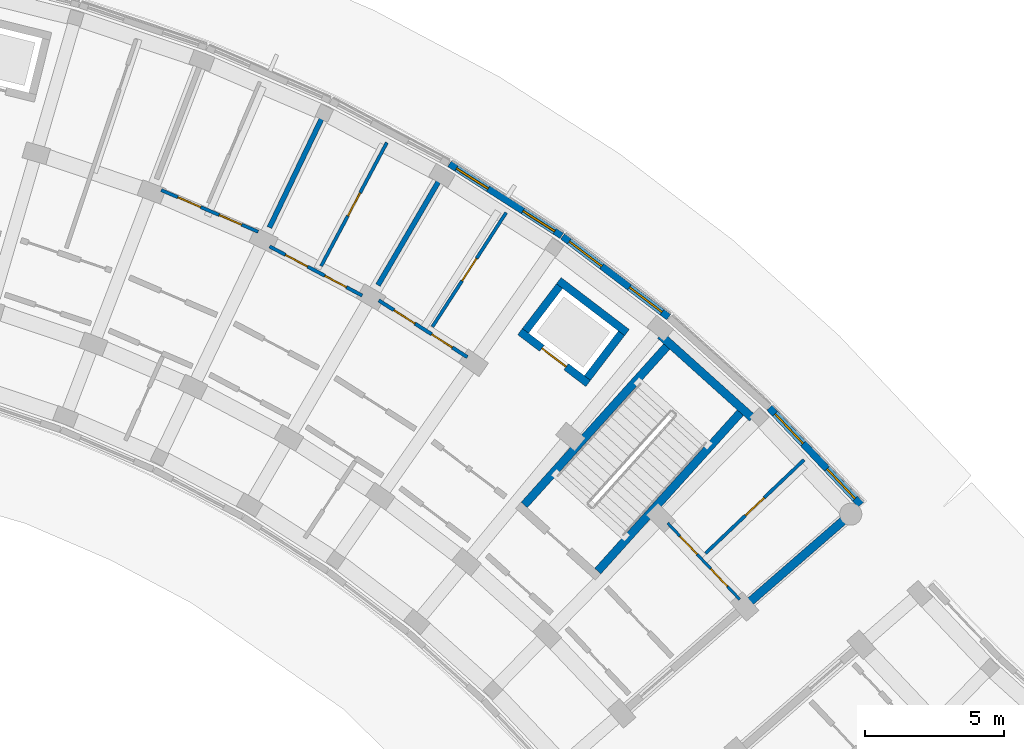
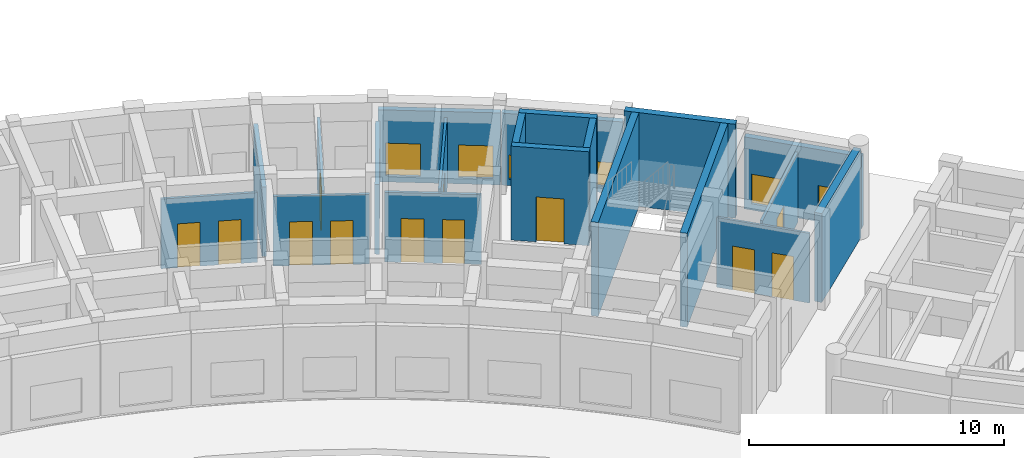
# One storey, part 38 of 61: 20 walls, 12 doors, 6 windows, 18 openings.
"""IFC4 building model written with IfcOpenShell, lengths in metres."""

from ifc_helpers import new_model, si_unit, direction, frame, frame_2d, origin, place, context, subcontext, project, spatial, rectangle, extrude, material, layer, layer_set, type_object, element, fill, save


model = new_model("IFC4")

# Units and contexts
model_context = context("Model", 3, precision=1e-05, world=origin(), true_north=direction((0.0, 1.0)))
body_context = subcontext(model_context, "Body", "Model", "MODEL_VIEW")
ifc_project = project(units=[si_unit("LENGTHUNIT", "METRE"), si_unit("AREAUNIT", "SQUARE_METRE"), si_unit("VOLUMEUNIT", "CUBIC_METRE"), si_unit("PLANEANGLEUNIT", "RADIAN"), si_unit("MASSUNIT", "GRAM", prefix="KILO")], contexts=[model_context])

# Site, building, storey
site_placement = place(None, origin())
site = spatial("IfcSite", under=ifc_project, at=site_placement, CompositionType="ELEMENT")
building_placement = place(site_placement, origin())
building = spatial("IfcBuilding", under=site, at=building_placement, Name="Zimvara Arc Housing Community", CompositionType="ELEMENT")
storey_placement = place(building_placement, origin())
storey = spatial("IfcBuildingStorey", under=building, at=storey_placement, Name="L00", CompositionType="ELEMENT", Elevation=0.0)

# Wall, openings, windows
ifc_material_1 = material(Name="Board-Marked Fair-Faced Concrete C35/45", Category="concrete")
ifc_layer_1 = layer(ifc_material_1, 0.241943359375)
ifc_layer_set_1 = layer_set([ifc_layer_1], Name="Board-Marked Fair-Faced Concrete C35/45")
wall_type_1 = type_object("IfcWallType", Name="EWL-VAR-16", PredefinedType="SOLIDWALL", material=ifc_layer_set_1)
wall_1_placement = place(storey_placement, frame((74.957763671875, 95.76806640625, 0.0), z_axis=(0.0, 0.0, 1.0), x_axis=(0.84226218024, -0.539068103061, 0.0)))
wall_1 = element("IfcWall", 1, at=wall_1_placement, inside=storey, type_object=wall_type_1, Name="ewall:blkB:L00:out:b6", PredefinedType="SOLIDWALL", context=body_context, shape_type="SweptSolid", body=[
    extrude(rectangle(XDim=4.808837890625, YDim=0.241943359375, at=frame_2d((2.404296875, 0.0))), origin(), (0.0, 0.0, 1.0), 3.449951171875),
])
opening_1_placement = place(wall_1_placement, frame((0.300048828125, 0.0, 0.300048828125)))
opening_1 = element("IfcOpeningElement", 2, at=opening_1_placement, cuts=wall_1, Name="Opening W44", PredefinedType="OPENING", context=body_context, shape_type="SweptSolid", body=[
    extrude(rectangle(XDim=1.360107421875, YDim=1.56005859375, at=frame_2d((0.68017578125, 0.780029296875))), frame((0.0, 0.130859375, 0.0), z_axis=(0.0, -1.0, 0.0), x_axis=(1.0, 0.0, 0.0)), (0.0, 0.0, 1.0), 0.261962890625),
])
opening_2_placement = place(wall_1_placement, frame((3.14892578125, 0.0, 0.300048828125)))
opening_2 = element("IfcOpeningElement", 3, at=opening_2_placement, cuts=wall_1, Name="Opening W44", PredefinedType="OPENING", context=body_context, shape_type="SweptSolid", body=[
    extrude(rectangle(XDim=1.360107421875, YDim=1.56005859375, at=frame_2d((0.68017578125, 0.780029296875))), frame((0.0, 0.130859375, 0.0), z_axis=(0.0, -1.0, 0.0), x_axis=(1.0, 0.0, 0.0)), (0.0, 0.0, 1.0), 0.261962890625),
])
ifc_material_2 = material(Name="Solar Control Low-E Double Glazing", Category="glass")
window_type_1 = type_object("IfcWindowType", Name="WIN-MOD-1360x1560", PartitioningType="DOUBLE_PANEL_VERTICAL", PredefinedType="WINDOW", material=ifc_material_2)
window_1_placement = place(opening_1_placement, origin())
window_1 = element("IfcWindow", 4, at=window_1_placement, inside=storey, type_object=window_type_1, Name="win:blkB:L00:out:b6:1", OverallHeight=1.56005859375, OverallWidth=1.360107421875, PartitioningType="DOUBLE_PANEL_VERTICAL", PredefinedType="WINDOW", context=body_context, shape_type="SweptSolid", body=[
    extrude(rectangle(XDim=1.360107421875, YDim=1.56005859375, at=frame_2d((0.68017578125, 0.780029296875))), frame((0.0, 0.030029296875, 0.0), z_axis=(0.0, -1.0, 0.0), x_axis=(1.0, 0.0, 0.0)), (0.0, 0.0, 1.0), 0.06005859375),
])
fill(opening_1, window_1)
window_2_placement = place(opening_2_placement, origin())
window_2 = element("IfcWindow", 5, at=window_2_placement, inside=storey, type_object=window_type_1, Name="win:blkB:L00:out:b6:2", OverallHeight=1.56005859375, OverallWidth=1.360107421875, PartitioningType="DOUBLE_PANEL_VERTICAL", PredefinedType="WINDOW", context=body_context, shape_type="SweptSolid", body=[
    extrude(rectangle(XDim=1.360107421875, YDim=1.56005859375, at=frame_2d((0.68017578125, 0.780029296875))), frame((0.0, 0.030029296875, 0.0), z_axis=(0.0, -1.0, 0.0), x_axis=(1.0, 0.0, 0.0)), (0.0, 0.0, 1.0), 0.06005859375),
])
fill(opening_2, window_2)

ifc_material_3 = material(Name="Board-Marked Fair-Faced Concrete C35/45", Category="concrete")
ifc_layer_2 = layer(ifc_material_3, 0.248046875)
ifc_layer_set_2 = layer_set([ifc_layer_2], Name="Board-Marked Fair-Faced Concrete C35/45")
wall_type_2 = type_object("IfcWallType", Name="EWL-VAR-17", PredefinedType="SOLIDWALL", material=ifc_layer_set_2)
wall_2_placement = place(storey_placement, frame((79.041015625, 93.15283203125, 0.0), z_axis=(0.0, 0.0, 1.0), x_axis=(0.795469013207, -0.605994264848, 0.0)))
wall_2 = element("IfcWall", 6, at=wall_2_placement, inside=storey, type_object=wall_type_2, Name="ewall:blkB:L00:out:b7", PredefinedType="SOLIDWALL", context=body_context, shape_type="SweptSolid", body=[
    extrude(rectangle(XDim=4.808837890625, YDim=0.248046875, at=frame_2d((2.404296875, 0.0))), origin(), (0.0, 0.0, 1.0), 3.449951171875),
])
opening_3_placement = place(wall_2_placement, frame((0.300048828125, 0.0, 0.300048828125)))
opening_3 = element("IfcOpeningElement", 7, at=opening_3_placement, cuts=wall_2, Name="Opening W45", PredefinedType="OPENING", context=body_context, shape_type="SweptSolid", body=[
    extrude(rectangle(XDim=1.47998046875, YDim=1.159912109375, at=frame_2d((0.739990234375, 0.580078125))), frame((0.0, 0.134033203125, 0.0), z_axis=(0.0, -1.0, 0.0), x_axis=(1.0, 0.0, 0.0)), (0.0, 0.0, 1.0), 0.26806640625),
])
opening_4_placement = place(wall_2_placement, frame((3.02880859375, 0.0, 0.300048828125)))
opening_4 = element("IfcOpeningElement", 8, at=opening_4_placement, cuts=wall_2, Name="Opening W45", PredefinedType="OPENING", context=body_context, shape_type="SweptSolid", body=[
    extrude(rectangle(XDim=1.47998046875, YDim=1.159912109375, at=frame_2d((0.739990234375, 0.580078125))), frame((0.0, 0.134033203125, 0.0), z_axis=(0.0, -1.0, 0.0), x_axis=(1.0, 0.0, 0.0)), (0.0, 0.0, 1.0), 0.26806640625),
])
ifc_material_4 = material(Name="Solar Control Low-E Double Glazing", Category="glass")
window_type_2 = type_object("IfcWindowType", Name="WIN-MOD-1480x1160", PartitioningType="DOUBLE_PANEL_VERTICAL", PredefinedType="WINDOW", material=ifc_material_4)
window_3_placement = place(opening_3_placement, origin())
window_3 = element("IfcWindow", 9, at=window_3_placement, inside=storey, type_object=window_type_2, Name="win:blkB:L00:out:b7:1", OverallHeight=1.159912109375, OverallWidth=1.47998046875, PartitioningType="DOUBLE_PANEL_VERTICAL", PredefinedType="WINDOW", context=body_context, shape_type="SweptSolid", body=[
    extrude(rectangle(XDim=1.47998046875, YDim=1.159912109375, at=frame_2d((0.739990234375, 0.580078125))), frame((0.0, 0.030029296875, 0.0), z_axis=(0.0, -1.0, 0.0), x_axis=(1.0, 0.0, 0.0)), (0.0, 0.0, 1.0), 0.06005859375),
])
fill(opening_3, window_3)
window_4_placement = place(opening_4_placement, origin())
window_4 = element("IfcWindow", 10, at=window_4_placement, inside=storey, type_object=window_type_2, Name="win:blkB:L00:out:b7:2", OverallHeight=1.159912109375, OverallWidth=1.47998046875, PartitioningType="DOUBLE_PANEL_VERTICAL", PredefinedType="WINDOW", context=body_context, shape_type="SweptSolid", body=[
    extrude(rectangle(XDim=1.47998046875, YDim=1.159912109375, at=frame_2d((0.739990234375, 0.580078125))), frame((0.0, 0.030029296875, 0.0), z_axis=(0.0, -1.0, 0.0), x_axis=(1.0, 0.0, 0.0)), (0.0, 0.0, 1.0), 0.06005859375),
])
fill(opening_4, window_4)

ifc_material_5 = material(Name="Board-Marked Fair-Faced Concrete C35/45", Category="concrete")
ifc_layer_3 = layer(ifc_material_5, 0.258056640625)
ifc_layer_set_3 = layer_set([ifc_layer_3], Name="Board-Marked Fair-Faced Concrete C35/45")
wall_type_3 = type_object("IfcWallType", Name="EWL-VAR-19", PredefinedType="SOLIDWALL", material=ifc_layer_set_3)
wall_3_placement = place(storey_placement, frame((86.50048828125, 86.96875, 0.0), z_axis=(0.0, 0.0, 1.0), x_axis=(0.686350671901, -0.727270757821, 0.0)))
wall_3 = element("IfcWall", 11, at=wall_3_placement, inside=storey, type_object=wall_type_3, Name="ewall:blkB:L00:out:b9", PredefinedType="SOLIDWALL", context=body_context, shape_type="SweptSolid", body=[
    extrude(rectangle(XDim=4.808837890625, YDim=0.258056640625, at=frame_2d((2.404296875, 0.0))), origin(), (0.0, 0.0, 1.0), 3.449951171875),
])
opening_5_placement = place(wall_3_placement, frame((0.300048828125, 0.0, 0.300048828125)))
opening_5 = element("IfcOpeningElement", 12, at=opening_5_placement, cuts=wall_3, Name="Opening W47", PredefinedType="OPENING", context=body_context, shape_type="SweptSolid", body=[
    extrude(rectangle(XDim=1.47998046875, YDim=1.419921875, at=frame_2d((0.739990234375, 0.7099609375))), frame((0.0, 0.138916015625, 0.0), z_axis=(0.0, -1.0, 0.0), x_axis=(1.0, 0.0, 0.0)), (0.0, 0.0, 1.0), 0.278076171875),
])
opening_6_placement = place(wall_3_placement, frame((3.02880859375, 0.0, 0.300048828125)))
opening_6 = element("IfcOpeningElement", 13, at=opening_6_placement, cuts=wall_3, Name="Opening W47", PredefinedType="OPENING", context=body_context, shape_type="SweptSolid", body=[
    extrude(rectangle(XDim=1.47998046875, YDim=1.419921875, at=frame_2d((0.739990234375, 0.7099609375))), frame((0.0, 0.138916015625, 0.0), z_axis=(0.0, -1.0, 0.0), x_axis=(1.0, 0.0, 0.0)), (0.0, 0.0, 1.0), 0.278076171875),
])
ifc_material_6 = material(Name="Solar Control Low-E Double Glazing", Category="glass")
window_type_3 = type_object("IfcWindowType", Name="WIN-MOD-1480x1420", PartitioningType="DOUBLE_PANEL_VERTICAL", PredefinedType="WINDOW", material=ifc_material_6)
window_5_placement = place(opening_5_placement, origin())
window_5 = element("IfcWindow", 14, at=window_5_placement, inside=storey, type_object=window_type_3, Name="win:blkB:L00:out:b9:1", OverallHeight=1.419921875, OverallWidth=1.47998046875, PartitioningType="DOUBLE_PANEL_VERTICAL", PredefinedType="WINDOW", context=body_context, shape_type="SweptSolid", body=[
    extrude(rectangle(XDim=1.47998046875, YDim=1.419921875, at=frame_2d((0.739990234375, 0.7099609375))), frame((0.0, 0.030029296875, 0.0), z_axis=(0.0, -1.0, 0.0), x_axis=(1.0, 0.0, 0.0)), (0.0, 0.0, 1.0), 0.06005859375),
])
fill(opening_5, window_5)
window_6_placement = place(opening_6_placement, origin())
window_6 = element("IfcWindow", 15, at=window_6_placement, inside=storey, type_object=window_type_3, Name="win:blkB:L00:out:b9:2", OverallHeight=1.419921875, OverallWidth=1.47998046875, PartitioningType="DOUBLE_PANEL_VERTICAL", PredefinedType="WINDOW", context=body_context, shape_type="SweptSolid", body=[
    extrude(rectangle(XDim=1.47998046875, YDim=1.419921875, at=frame_2d((0.739990234375, 0.7099609375))), frame((0.0, 0.030029296875, 0.0), z_axis=(0.0, -1.0, 0.0), x_axis=(1.0, 0.0, 0.0)), (0.0, 0.0, 1.0), 0.06005859375),
])
fill(opening_6, window_6)

# Walls
ifc_material_7 = material(Name="Concrete C35/45", Category="concrete")
ifc_layer_4 = layer(ifc_material_7, 0.18505859375)
ifc_layer_set_4 = layer_set([ifc_layer_4], Name="Concrete C35/45")
wall_type_4 = type_object("IfcWallType", Name="IWL-FLAT-185", PredefinedType="SOLIDWALL", material=ifc_layer_set_4)
for number, where, z_axis, x_axis, name in (
    (16, (68.462158203125, 93.469482421875, 0.0), (0.0, 0.0, 1.0), (0.432086898897, 0.901831975371, 0.0), "iwall:blkB:L00:party:b5"),
    (17, (72.37939453125, 91.391845703125, 0.0), (0.0, 0.0, 1.0), (0.504216452091, 0.863577309475, 0.0), "iwall:blkB:L00:party:b6"),
):
    element("IfcWall", number, at=place(storey_placement, frame(where, z_axis=z_axis, x_axis=x_axis)), inside=storey, type_object=wall_type_4, Name=name, PredefinedType="SOLIDWALL", context=body_context, shape_type="SweptSolid", body=[
        extrude(rectangle(XDim=4.35009765625, YDim=0.18505859375, at=frame_2d((2.175048828125, 0.0))), origin(), (0.0, 0.0, 1.0), 3.340087890625),
    ])

# Wall, openings, doors
ifc_material_8 = material(Name="Painted Acoustic Plasterboard")
ifc_layer_5 = layer(ifc_material_8, 0.10009765625)
ifc_layer_set_5 = layer_set([ifc_layer_5], Name="Painted Acoustic Plasterboard")
wall_type_5 = type_object("IfcWallType", Name="IWL-PART-100", PredefinedType="PARTITIONING", material=ifc_layer_set_5)
wall_4_placement = place(storey_placement, frame((82.8291015625, 82.808837890625, 0.0), z_axis=(0.0, 0.0, 1.0), x_axis=(0.686300649561, -0.727317962388, 0.0)))
wall_4 = element("IfcWall", 18, at=wall_4_placement, inside=storey, type_object=wall_type_5, Name="iwall:blkB:L00:srv:b9", PredefinedType="PARTITIONING", context=body_context, shape_type="SweptSolid", body=[
    extrude(rectangle(XDim=3.79736328125, YDim=0.10009765625, at=frame_2d((1.898681640625, 0.0))), origin(), (0.0, 0.0, 1.0), 3.340087890625),
])
opening_7_placement = place(wall_4_placement, frame((0.64990234375, 0.0, 0.0)))
opening_7 = element("IfcOpeningElement", 19, at=opening_7_placement, cuts=wall_4, Name="Opening D01", PredefinedType="OPENING", context=body_context, shape_type="SweptSolid", body=[
    extrude(rectangle(XDim=0.89990234375, YDim=2.10009765625, at=frame_2d((0.449951171875, 1.050048828125))), frame((0.0, 0.06005859375, 0.0), z_axis=(0.0, -1.0, 0.0), x_axis=(1.0, 0.0, 0.0)), (0.0, 0.0, 1.0), 0.1201171875),
])
opening_8_placement = place(wall_4_placement, frame((2.267333984375, 0.0, 0.0)))
opening_8 = element("IfcOpeningElement", 20, at=opening_8_placement, cuts=wall_4, Name="Opening D05", PredefinedType="OPENING", context=body_context, shape_type="SweptSolid", body=[
    extrude(rectangle(XDim=0.8798828125, YDim=2.10009765625, at=frame_2d((0.43994140625, 1.050048828125))), frame((0.0, 0.06005859375, 0.0), z_axis=(0.0, -1.0, 0.0), x_axis=(1.0, 0.0, 0.0)), (0.0, 0.0, 1.0), 0.1201171875),
])
ifc_material_9 = material(Name="Mozambican Hardwood", Category="wood")
door_type_1 = type_object("IfcDoorType", Name="IDR-RM-0900x2100", OperationType="NOTDEFINED", PredefinedType="DOOR", material=ifc_material_9)
door_1_placement = place(opening_7_placement, origin())
door_1 = element("IfcDoor", 21, at=door_1_placement, inside=storey, type_object=door_type_1, Name="idoor:blkB:L00:kit_liv:b9", OperationType="SINGLE_SWING_RIGHT", OverallHeight=2.10009765625, OverallWidth=0.89990234375, PredefinedType="DOOR", context=body_context, shape_type="SweptSolid", body=[
    extrude(rectangle(XDim=0.89990234375, YDim=2.10009765625, at=frame_2d((0.449951171875, 1.050048828125))), frame((0.0, 0.02490234375, 0.0), z_axis=(0.0, -1.0, 0.0), x_axis=(1.0, 0.0, 0.0)), (0.0, 0.0, 1.0), 0.050048828125),
])
fill(opening_7, door_1)
ifc_material_10 = material(Name="Mozambican Hardwood", Category="wood")
door_type_2 = type_object("IfcDoorType", Name="IDR-WC-0880x2100", OperationType="NOTDEFINED", PredefinedType="DOOR", material=ifc_material_10)
door_2_placement = place(opening_8_placement, origin())
door_2 = element("IfcDoor", 22, at=door_2_placement, inside=storey, type_object=door_type_2, Name="idoor:blkB:L00:bath_d:b9", OperationType="SINGLE_SWING_LEFT", OverallHeight=2.10009765625, OverallWidth=0.8798828125, PredefinedType="DOOR", context=body_context, shape_type="SweptSolid", body=[
    extrude(rectangle(XDim=0.8798828125, YDim=2.10009765625, at=frame_2d((0.43994140625, 1.050048828125))), frame((0.0, 0.02490234375, 0.0), z_axis=(0.0, -1.0, 0.0), x_axis=(1.0, 0.0, 0.0)), (0.0, 0.0, 1.0), 0.050048828125),
])
fill(opening_8, door_2)

ifc_material_11 = material(Name="Painted Acoustic Plasterboard")
ifc_layer_6 = layer(ifc_material_11, 0.1201171875)
ifc_layer_set_6 = layer_set([ifc_layer_6], Name="Painted Acoustic Plasterboard")
wall_type_6 = type_object("IfcWallType", Name="IWL-PART-120", PredefinedType="PARTITIONING", material=ifc_layer_set_6)
wall_5_placement = place(storey_placement, frame((64.55712890625, 94.82177734375, 0.0), z_axis=(0.0, 0.0, 1.0), x_axis=(0.918726854017, -0.394893615684, 0.0)))
wall_5 = element("IfcWall", 23, at=wall_5_placement, inside=storey, type_object=wall_type_6, Name="iwall:blkB:L00:srv:b4", PredefinedType="PARTITIONING", context=body_context, shape_type="SweptSolid", body=[
    extrude(rectangle(XDim=3.8095703125, YDim=0.1201171875, at=frame_2d((1.90478515625, 0.0))), origin(), (0.0, 0.0, 1.0), 3.340087890625),
])
opening_9_placement = place(wall_5_placement, frame((0.64990234375, 0.0, 0.0)))
opening_9 = element("IfcOpeningElement", 24, at=opening_9_placement, cuts=wall_5, Name="Opening D01", PredefinedType="OPENING", context=body_context, shape_type="SweptSolid", body=[
    extrude(rectangle(XDim=0.89990234375, YDim=2.10009765625, at=frame_2d((0.449951171875, 1.050048828125))), frame((0.0, 0.070068359375, 0.0), z_axis=(0.0, -1.0, 0.0), x_axis=(1.0, 0.0, 0.0)), (0.0, 0.0, 1.0), 0.14013671875),
])
opening_10_placement = place(wall_5_placement, frame((2.279541015625, 0.0, 0.0)))
opening_10 = element("IfcOpeningElement", 25, at=opening_10_placement, cuts=wall_5, Name="Opening D05", PredefinedType="OPENING", context=body_context, shape_type="SweptSolid", body=[
    extrude(rectangle(XDim=0.8798828125, YDim=2.10009765625, at=frame_2d((0.43994140625, 1.050048828125))), frame((0.0, 0.070068359375, 0.0), z_axis=(0.0, -1.0, 0.0), x_axis=(1.0, 0.0, 0.0)), (0.0, 0.0, 1.0), 0.14013671875),
])
door_3_placement = place(opening_9_placement, origin())
door_3 = element("IfcDoor", 26, at=door_3_placement, inside=storey, type_object=door_type_1, Name="idoor:blkB:L00:kit_liv:b4", OperationType="SINGLE_SWING_RIGHT", OverallHeight=2.10009765625, OverallWidth=0.89990234375, PredefinedType="DOOR", context=body_context, shape_type="SweptSolid", body=[
    extrude(rectangle(XDim=0.89990234375, YDim=2.10009765625, at=frame_2d((0.449951171875, 1.050048828125))), frame((0.0, 0.02490234375, 0.0), z_axis=(0.0, -1.0, 0.0), x_axis=(1.0, 0.0, 0.0)), (0.0, 0.0, 1.0), 0.050048828125),
])
fill(opening_9, door_3)
door_4_placement = place(opening_10_placement, origin())
door_4 = element("IfcDoor", 27, at=door_4_placement, inside=storey, type_object=door_type_2, Name="idoor:blkB:L00:bath_d:b4", OperationType="SINGLE_SWING_LEFT", OverallHeight=2.10009765625, OverallWidth=0.8798828125, PredefinedType="DOOR", context=body_context, shape_type="SweptSolid", body=[
    extrude(rectangle(XDim=0.8798828125, YDim=2.10009765625, at=frame_2d((0.43994140625, 1.050048828125))), frame((0.0, 0.02490234375, 0.0), z_axis=(0.0, -1.0, 0.0), x_axis=(1.0, 0.0, 0.0)), (0.0, 0.0, 1.0), 0.050048828125),
])
fill(opening_10, door_4)

# Wall, opening, door
wall_6_placement = place(storey_placement, frame((70.326416015625, 92.0791015625, 0.0), z_axis=(0.0, 0.0, 1.0), x_axis=(0.469847866249, 0.882747405876, 0.0)))
wall_6 = element("IfcWall", 28, at=wall_6_placement, inside=storey, type_object=wall_type_6, Name="iwall:blkB:L00:bed_div:b5", PredefinedType="PARTITIONING", context=body_context, shape_type="SweptSolid", body=[
    extrude(rectangle(XDim=5.050048828125, YDim=0.1201171875, at=frame_2d((2.52490234375, 0.0))), origin(), (0.0, 0.0, 1.0), 3.340087890625),
])
opening_11_placement = place(wall_6_placement, frame((2.054931640625, 0.0, 0.0)))
opening_11 = element("IfcOpeningElement", 29, at=opening_11_placement, cuts=wall_6, Name="Opening D03", PredefinedType="OPENING", context=body_context, shape_type="SweptSolid", body=[
    extrude(rectangle(XDim=0.93994140625, YDim=2.10009765625, at=frame_2d((0.469970703125, 1.050048828125))), frame((0.0, 0.070068359375, 0.0), z_axis=(0.0, -1.0, 0.0), x_axis=(1.0, 0.0, 0.0)), (0.0, 0.0, 1.0), 0.14013671875),
])
ifc_material_12 = material(Name="Mozambican Hardwood", Category="wood")
door_type_3 = type_object("IfcDoorType", Name="IDR-RM-0940x2100", OperationType="NOTDEFINED", PredefinedType="DOOR", material=ifc_material_12)
door_5_placement = place(opening_11_placement, origin())
door_5 = element("IfcDoor", 30, at=door_5_placement, inside=storey, type_object=door_type_3, Name="idoor:blkB:L00:bed_d:b5", OperationType="SINGLE_SWING_LEFT", OverallHeight=2.10009765625, OverallWidth=0.93994140625, PredefinedType="DOOR", context=body_context, shape_type="SweptSolid", body=[
    extrude(rectangle(XDim=0.93994140625, YDim=2.10009765625, at=frame_2d((0.469970703125, 1.050048828125))), frame((0.0, 0.02490234375, 0.0), z_axis=(0.0, -1.0, 0.0), x_axis=(1.0, 0.0, 0.0)), (0.0, 0.0, 1.0), 0.050048828125),
])
fill(opening_11, door_5)

wall_7_placement = place(storey_placement, frame((74.342041015625, 89.89208984375, 0.0), z_axis=(0.0, 0.0, 1.0), x_axis=(0.542871109654, 0.839816026462, 0.0)))
wall_7 = element("IfcWall", 31, at=wall_7_placement, inside=storey, type_object=wall_type_6, Name="iwall:blkB:L00:bed_div:b6", PredefinedType="PARTITIONING", context=body_context, shape_type="SweptSolid", body=[
    extrude(rectangle(XDim=4.900146484375, YDim=0.1201171875, at=frame_2d((2.4501953125, 0.0))), origin(), (0.0, 0.0, 1.0), 3.340087890625),
])
opening_12_placement = place(wall_7_placement, frame((1.969970703125, 0.0, 0.0)))
opening_12 = element("IfcOpeningElement", 32, at=opening_12_placement, cuts=wall_7, Name="Opening D04", PredefinedType="OPENING", context=body_context, shape_type="SweptSolid", body=[
    extrude(rectangle(XDim=0.9599609375, YDim=2.10009765625, at=frame_2d((0.47998046875, 1.050048828125))), frame((0.0, 0.070068359375, 0.0), z_axis=(0.0, -1.0, 0.0), x_axis=(1.0, 0.0, 0.0)), (0.0, 0.0, 1.0), 0.14013671875),
])
ifc_material_13 = material(Name="Mozambican Hardwood", Category="wood")
door_type_4 = type_object("IfcDoorType", Name="IDR-RM-0960x2100", OperationType="NOTDEFINED", PredefinedType="DOOR", material=ifc_material_13)
door_6_placement = place(opening_12_placement, origin())
door_6 = element("IfcDoor", 33, at=door_6_placement, inside=storey, type_object=door_type_4, Name="idoor:blkB:L00:bed_d:b6", OperationType="SINGLE_SWING_LEFT", OverallHeight=2.10009765625, OverallWidth=0.9599609375, PredefinedType="DOOR", context=body_context, shape_type="SweptSolid", body=[
    extrude(rectangle(XDim=0.9599609375, YDim=2.10009765625, at=frame_2d((0.47998046875, 1.050048828125))), frame((0.0, 0.02490234375, 0.0), z_axis=(0.0, -1.0, 0.0), x_axis=(1.0, 0.0, 0.0)), (0.0, 0.0, 1.0), 0.050048828125),
])
fill(opening_12, door_6)

wall_8_placement = place(storey_placement, frame((84.1982421875, 81.71435546875, 0.0), z_axis=(0.0, 0.0, 1.0), x_axis=(0.725204659953, 0.688533369694, 0.0)))
wall_8 = element("IfcWall", 34, at=wall_8_placement, inside=storey, type_object=wall_type_6, Name="iwall:blkB:L00:bed_div:b9", PredefinedType="PARTITIONING", context=body_context, shape_type="SweptSolid", body=[
    extrude(rectangle(XDim=4.89990234375, YDim=0.1201171875, at=frame_2d((2.449951171875, 0.0))), origin(), (0.0, 0.0, 1.0), 3.340087890625),
])
opening_13_placement = place(wall_8_placement, frame((1.985107421875, 0.0, 0.0)))
opening_13 = element("IfcOpeningElement", 35, at=opening_13_placement, cuts=wall_8, Name="Opening D13", PredefinedType="OPENING", context=body_context, shape_type="SweptSolid", body=[
    extrude(rectangle(XDim=0.929931640625, YDim=2.10009765625, at=frame_2d((0.46484375, 1.050048828125))), frame((0.0, 0.070068359375, 0.0), z_axis=(0.0, -1.0, 0.0), x_axis=(1.0, 0.0, 0.0)), (0.0, 0.0, 1.0), 0.14013671875),
])
ifc_material_14 = material(Name="Mozambican Hardwood", Category="wood")
door_type_5 = type_object("IfcDoorType", Name="IDR-MOD-930x2180", OperationType="NOTDEFINED", PredefinedType="DOOR", material=ifc_material_14)
door_7_placement = place(opening_13_placement, origin())
door_7 = element("IfcDoor", 36, at=door_7_placement, inside=storey, type_object=door_type_5, Name="idoor:blkB:L00:bed_d:b9", OperationType="SINGLE_SWING_RIGHT", OverallHeight=2.10009765625, OverallWidth=0.929931640625, PredefinedType="DOOR", context=body_context, shape_type="SweptSolid", body=[
    extrude(rectangle(XDim=0.929931640625, YDim=2.10009765625, at=frame_2d((0.46484375, 1.050048828125))), frame((0.0, 0.02490234375, 0.0), z_axis=(0.0, -1.0, 0.0), x_axis=(1.0, 0.0, 0.0)), (0.0, 0.0, 1.0), 0.050048828125),
])
fill(opening_13, door_7)

# Wall, openings, doors
ifc_material_15 = material(Name="Painted Acoustic Plasterboard")
ifc_layer_7 = layer(ifc_material_15, 0.125)
ifc_layer_set_7 = layer_set([ifc_layer_7], Name="Painted Acoustic Plasterboard")
wall_type_7 = type_object("IfcWallType", Name="IWL-PART-125", PredefinedType="PARTITIONING", material=ifc_layer_set_7)
wall_9_placement = place(storey_placement, frame((68.468017578125, 92.787841796875, 0.0), z_axis=(0.0, 0.0, 1.0), x_axis=(0.883450371448, -0.468524749814, 0.0)))
wall_9 = element("IfcWall", 37, at=wall_9_placement, inside=storey, type_object=wall_type_7, Name="iwall:blkB:L00:srv:b5", PredefinedType="PARTITIONING", context=body_context, shape_type="SweptSolid", body=[
    extrude(rectangle(XDim=3.78515625, YDim=0.125, at=frame_2d((1.892578125, 0.0))), origin(), (0.0, 0.0, 1.0), 3.340087890625),
])
opening_14_placement = place(wall_9_placement, frame((0.64990234375, 0.0, 0.0)))
opening_14 = element("IfcOpeningElement", 38, at=opening_14_placement, cuts=wall_9, Name="Opening D01", PredefinedType="OPENING", context=body_context, shape_type="SweptSolid", body=[
    extrude(rectangle(XDim=0.89990234375, YDim=2.10009765625, at=frame_2d((0.449951171875, 1.050048828125))), frame((0.0, 0.072509765625, 0.0), z_axis=(0.0, -1.0, 0.0), x_axis=(1.0, 0.0, 0.0)), (0.0, 0.0, 1.0), 0.14501953125),
])
opening_15_placement = place(wall_9_placement, frame((2.255126953125, 0.0, 0.0)))
opening_15 = element("IfcOpeningElement", 39, at=opening_15_placement, cuts=wall_9, Name="Opening D05", PredefinedType="OPENING", context=body_context, shape_type="SweptSolid", body=[
    extrude(rectangle(XDim=0.8798828125, YDim=2.10009765625, at=frame_2d((0.43994140625, 1.050048828125))), frame((0.0, 0.072509765625, 0.0), z_axis=(0.0, -1.0, 0.0), x_axis=(1.0, 0.0, 0.0)), (0.0, 0.0, 1.0), 0.14501953125),
])
door_8_placement = place(opening_14_placement, origin())
door_8 = element("IfcDoor", 40, at=door_8_placement, inside=storey, type_object=door_type_1, Name="idoor:blkB:L00:kit_liv:b5", OperationType="SINGLE_SWING_LEFT", OverallHeight=2.10009765625, OverallWidth=0.89990234375, PredefinedType="DOOR", context=body_context, shape_type="SweptSolid", body=[
    extrude(rectangle(XDim=0.89990234375, YDim=2.10009765625, at=frame_2d((0.449951171875, 1.050048828125))), frame((0.0, 0.02490234375, 0.0), z_axis=(0.0, -1.0, 0.0), x_axis=(1.0, 0.0, 0.0)), (0.0, 0.0, 1.0), 0.050048828125),
])
fill(opening_14, door_8)
door_9_placement = place(opening_15_placement, origin())
door_9 = element("IfcDoor", 41, at=door_9_placement, inside=storey, type_object=door_type_2, Name="idoor:blkB:L00:bath_d:b5", OperationType="SINGLE_SWING_RIGHT", OverallHeight=2.10009765625, OverallWidth=0.8798828125, PredefinedType="DOOR", context=body_context, shape_type="SweptSolid", body=[
    extrude(rectangle(XDim=0.8798828125, YDim=2.10009765625, at=frame_2d((0.43994140625, 1.050048828125))), frame((0.0, 0.02490234375, 0.0), z_axis=(0.0, -1.0, 0.0), x_axis=(1.0, 0.0, 0.0)), (0.0, 0.0, 1.0), 0.050048828125),
])
fill(opening_15, door_9)

ifc_material_16 = material(Name="Painted Acoustic Plasterboard")
ifc_layer_8 = layer(ifc_material_16, 0.1298828125)
ifc_layer_set_8 = layer_set([ifc_layer_8], Name="Painted Acoustic Plasterboard")
wall_type_8 = type_object("IfcWallType", Name="IWL-PART-130", PredefinedType="PARTITIONING", material=ifc_layer_set_8)
wall_10_placement = place(storey_placement, frame((72.4052734375, 90.841552734375, 0.0), z_axis=(0.0, 0.0, 1.0), x_axis=(0.842271400662, -0.539053696423, 0.0)))
wall_10 = element("IfcWall", 42, at=wall_10_placement, inside=storey, type_object=wall_type_8, Name="iwall:blkB:L00:srv:b6", PredefinedType="PARTITIONING", context=body_context, shape_type="SweptSolid", body=[
    extrude(rectangle(XDim=3.797119140625, YDim=0.1298828125, at=frame_2d((1.8984375, 0.0))), origin(), (0.0, 0.0, 1.0), 3.340087890625),
])
opening_16_placement = place(wall_10_placement, frame((0.64990234375, 0.0, 0.0)))
opening_16 = element("IfcOpeningElement", 43, at=opening_16_placement, cuts=wall_10, Name="Opening D01", PredefinedType="OPENING", context=body_context, shape_type="SweptSolid", body=[
    extrude(rectangle(XDim=0.89990234375, YDim=2.10009765625, at=frame_2d((0.449951171875, 1.050048828125))), frame((0.0, 0.074951171875, 0.0), z_axis=(0.0, -1.0, 0.0), x_axis=(1.0, 0.0, 0.0)), (0.0, 0.0, 1.0), 0.14990234375),
])
opening_17_placement = place(wall_10_placement, frame((2.267333984375, 0.0, 0.0)))
opening_17 = element("IfcOpeningElement", 44, at=opening_17_placement, cuts=wall_10, Name="Opening D05", PredefinedType="OPENING", context=body_context, shape_type="SweptSolid", body=[
    extrude(rectangle(XDim=0.8798828125, YDim=2.10009765625, at=frame_2d((0.43994140625, 1.050048828125))), frame((0.0, 0.074951171875, 0.0), z_axis=(0.0, -1.0, 0.0), x_axis=(1.0, 0.0, 0.0)), (0.0, 0.0, 1.0), 0.14990234375),
])
door_10_placement = place(opening_16_placement, origin())
door_10 = element("IfcDoor", 45, at=door_10_placement, inside=storey, type_object=door_type_1, Name="idoor:blkB:L00:kit_liv:b6", OperationType="SINGLE_SWING_LEFT", OverallHeight=2.10009765625, OverallWidth=0.89990234375, PredefinedType="DOOR", context=body_context, shape_type="SweptSolid", body=[
    extrude(rectangle(XDim=0.89990234375, YDim=2.10009765625, at=frame_2d((0.449951171875, 1.050048828125))), frame((0.0, 0.02490234375, 0.0), z_axis=(0.0, -1.0, 0.0), x_axis=(1.0, 0.0, 0.0)), (0.0, 0.0, 1.0), 0.050048828125),
])
fill(opening_16, door_10)
door_11_placement = place(opening_17_placement, origin())
door_11 = element("IfcDoor", 46, at=door_11_placement, inside=storey, type_object=door_type_2, Name="idoor:blkB:L00:bath_d:b6", OperationType="SINGLE_SWING_RIGHT", OverallHeight=2.10009765625, OverallWidth=0.8798828125, PredefinedType="DOOR", context=body_context, shape_type="SweptSolid", body=[
    extrude(rectangle(XDim=0.8798828125, YDim=2.10009765625, at=frame_2d((0.43994140625, 1.050048828125))), frame((0.0, 0.02490234375, 0.0), z_axis=(0.0, -1.0, 0.0), x_axis=(1.0, 0.0, 0.0)), (0.0, 0.0, 1.0), 0.050048828125),
])
fill(opening_17, door_11)

# Wall, opening, door
ifc_material_17 = material(Name="Concrete C40/50", Category="concrete")
ifc_layer_9 = layer(ifc_material_17, 0.280029296875)
ifc_layer_set_9 = layer_set([ifc_layer_9], Name="Concrete C40/50")
wall_type_9 = type_object("IfcWallType", Name="WL-CORE-280", PredefinedType="SHEAR", material=ifc_layer_set_9)
wall_11_placement = place(storey_placement, frame((79.96142578125, 87.84375, 0.0), z_axis=(0.0, 0.0, 1.0), x_axis=(-0.795464365424, 0.606000365793, 0.0)))
wall_11 = element("IfcWall", 47, at=wall_11_placement, inside=storey, type_object=wall_type_9, Name="lwall:LP-B2:L00:front", PredefinedType="SHEAR", context=body_context, shape_type="SweptSolid", body=[
    extrude(rectangle(XDim=3.090087890625, YDim=0.280029296875, at=frame_2d((1.544921875, 0.0))), origin(), (0.0, 0.0, 1.0), 4.5),
])
opening_18_placement = place(wall_11_placement, frame((0.9951171875, 0.0, 0.0)))
opening_18 = element("IfcOpeningElement", 48, at=opening_18_placement, cuts=wall_11, Name="Opening LD-LP-B2", PredefinedType="OPENING", context=body_context, shape_type="SweptSolid", body=[
    extrude(rectangle(XDim=1.10009765625, YDim=2.14990234375, at=frame_2d((0.550048828125, 1.074951171875))), frame((0.0, 0.14990234375, 0.0), z_axis=(0.0, -1.0, 0.0), x_axis=(1.0, 0.0, 0.0)), (0.0, 0.0, 1.0), 0.300048828125),
])
ifc_material_18 = material(Name="Anodised Aluminium AW-6063", Category="aluminium")
door_type_6 = type_object("IfcDoorType", Name="IDR-LD-1100x2150", OperationType="DOUBLE_DOOR_SLIDING", PredefinedType="DOOR", material=ifc_material_18)
door_12_placement = place(opening_18_placement, origin())
door_12 = element("IfcDoor", 49, at=door_12_placement, inside=storey, type_object=door_type_6, Name="Lift LP-B2 Sliding Landing Door L00", OperationType="DOUBLE_DOOR_SLIDING", OverallHeight=2.14990234375, OverallWidth=1.10009765625, PredefinedType="DOOR", context=body_context, shape_type="SweptSolid", body=[
    extrude(rectangle(XDim=1.10009765625, YDim=2.14990234375, at=frame_2d((0.550048828125, 1.074951171875))), frame((0.0, 0.02490234375, 0.0), z_axis=(0.0, -1.0, 0.0), x_axis=(1.0, 0.0, 0.0)), (0.0, 0.0, 1.0), 0.050048828125),
])
fill(opening_18, door_12)

# Walls
wall_12_placement = place(storey_placement, frame((81.361083984375, 89.681396484375, 0.0), z_axis=(0.0, 0.0, 1.0), x_axis=(-0.795502452183, 0.605950368076, 0.0)))
element("IfcWall", 50, at=wall_12_placement, inside=storey, type_object=wall_type_9, Name="lwall:LP-B2:L00:back", PredefinedType="SHEAR", context=body_context, shape_type="SweptSolid", body=[
    extrude(rectangle(XDim=3.08984375, YDim=0.280029296875, at=frame_2d((1.544921875, 0.0))), origin(), (0.0, 0.0, 1.0), 4.5),
])
for number, where, z_axis, x_axis, name in (
    (51, (79.934814453125, 88.0400390625, 0.0), (0.0, 0.0, 1.0), (0.606025097418, 0.795445523779, 0.0), "lwall:LP-B2:L00:left"),
    (52, (77.699462890625, 89.742919921875, 0.0), (0.0, 0.0, 1.0), (0.606025097418, 0.795445523779, 0.0), "lwall:LP-B2:L00:right"),
):
    element("IfcWall", number, at=place(storey_placement, frame(where, z_axis=z_axis, x_axis=x_axis)), inside=storey, type_object=wall_type_9, Name=name, PredefinedType="SHEAR", context=body_context, shape_type="SweptSolid", body=[
        extrude(rectangle(XDim=2.030029296875, YDim=0.280029296875, at=frame_2d((1.01513671875, 0.0))), origin(), (0.0, 0.0, 1.0), 4.5),
    ])
ifc_material_19 = material(Name="Concrete C40/50", Category="concrete")
ifc_layer_10 = layer(ifc_material_19, 0.300048828125)
ifc_layer_set_10 = layer_set([ifc_layer_10], Name="Concrete C40/50")
wall_type_10 = type_object("IfcWallType", Name="WL-CORE-300", PredefinedType="SHEAR", material=ifc_layer_set_10)
wall_13_placement = place(storey_placement, frame((85.887451171875, 86.6005859375, 0.0), z_axis=(0.0, 0.0, 1.0), x_axis=(-0.743400052815, 0.668847038922, 0.0)))
element("IfcWall", 53, at=wall_13_placement, inside=storey, type_object=wall_type_10, Name="cwall:ST-B2:L00:far", PredefinedType="SHEAR", context=body_context, shape_type="SweptSolid", body=[
    extrude(rectangle(XDim=4.469970703125, YDim=0.300048828125, at=frame_2d((2.23486328125, 0.0))), origin(), (0.0, 0.0, 1.0), 4.5),
])
wall_14_placement = place(storey_placement, frame((80.308837890625, 81.073486328125, 0.0), z_axis=(0.0, 0.0, 1.0), x_axis=(0.668885797871, 0.743365179038, 0.0)))
element("IfcWall", 54, at=wall_14_placement, inside=storey, type_object=wall_type_10, Name="cwall:ST-B2:L00:left", PredefinedType="SHEAR", context=body_context, shape_type="SweptSolid", body=[
    extrude(rectangle(XDim=7.690185546875, YDim=0.300048828125, at=frame_2d((3.84521484375, 0.0))), origin(), (0.0, 0.0, 1.0), 4.5),
])
wall_15_placement = place(storey_placement, frame((77.655029296875, 83.461181640625, 0.0), z_axis=(0.0, 0.0, 1.0), x_axis=(0.668868253964, 0.743380964808, 0.0)))
element("IfcWall", 55, at=wall_15_placement, inside=storey, type_object=wall_type_10, Name="cwall:ST-B2:L00:right", PredefinedType="SHEAR", context=body_context, shape_type="SweptSolid", body=[
    extrude(rectangle(XDim=7.68994140625, YDim=0.300048828125, at=frame_2d((3.844970703125, 0.0))), origin(), (0.0, 0.0, 1.0), 4.5),
])
ifc_material_20 = material(Name="Concrete C40/50", Category="concrete")
ifc_layer_11 = layer(ifc_material_20, 0.31005859375)
ifc_layer_set_11 = layer_set([ifc_layer_11], Name="Concrete C40/50")
wall_type_11 = type_object("IfcWallType", Name="WL-SHEAR-310", PredefinedType="SHEAR", material=ifc_layer_set_11)
wall_16_placement = place(storey_placement, frame((85.7392578125, 79.9140625, 0.0), z_axis=(0.0, 0.0, 1.0), x_axis=(0.754703505217, 0.65606601742, 0.0)))
element("IfcWall", 56, at=wall_16_placement, inside=storey, type_object=wall_type_11, Name="swall:blkB:L00:east", PredefinedType="SHEAR", context=body_context, shape_type="SweptSolid", body=[
    extrude(rectangle(XDim=4.719970703125, YDim=0.31005859375, at=frame_2d((2.35986328125, 0.0))), origin(), (0.0, 0.0, 1.0), 4.260009765625),
])

save(model, "model.ifc")
